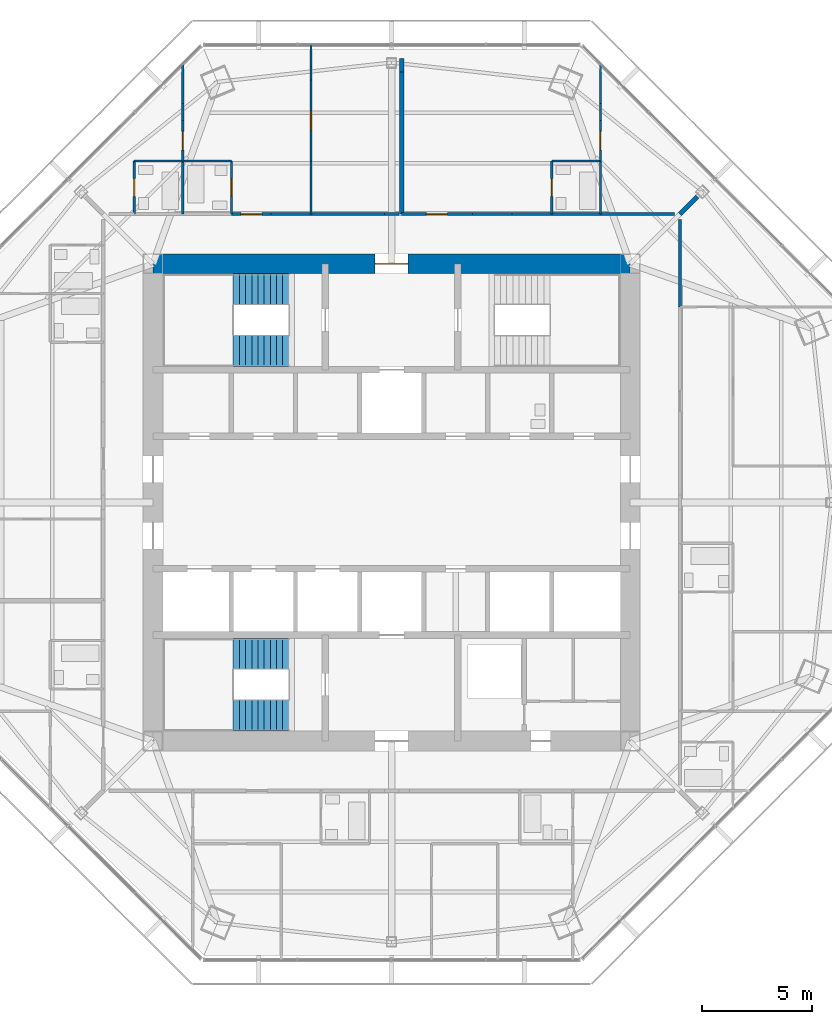
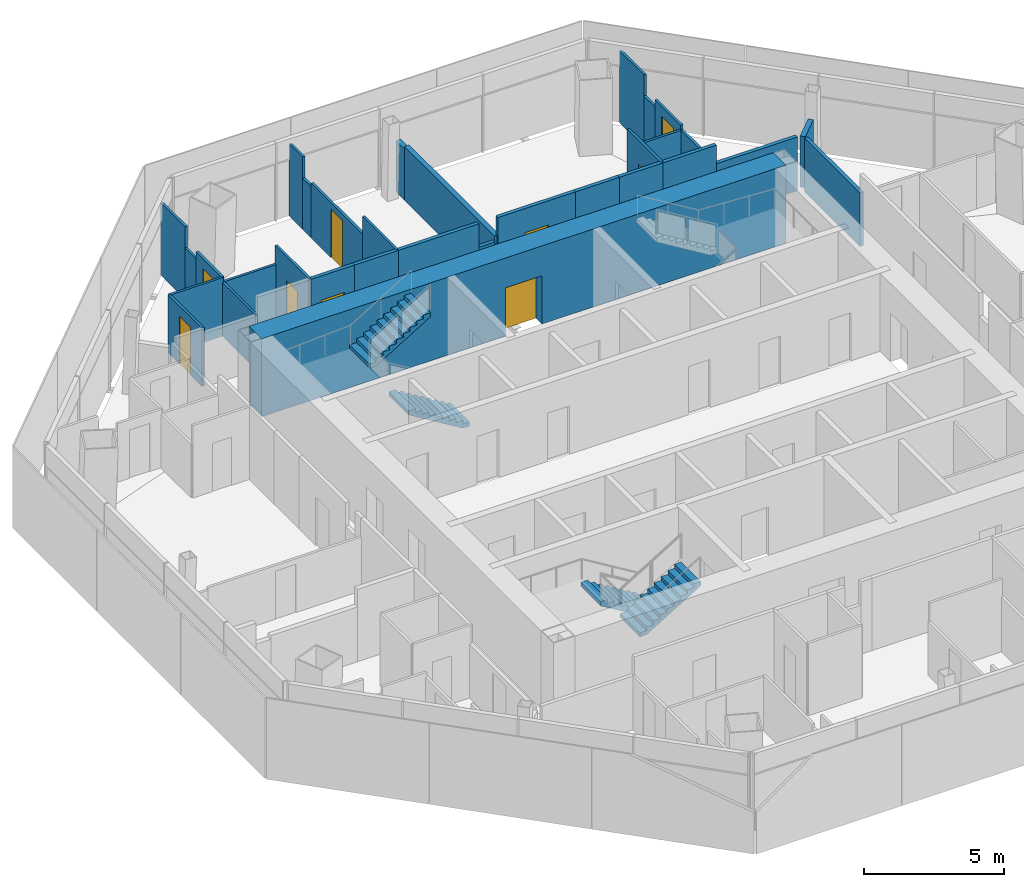
# One storey, part 12 of 15: 32 walls, 9 doors, 4 stair flights, 9 openings, 2 elements without a shape of their own.
"""IFC4 building model written with IfcOpenShell, lengths in metres."""

from ifc_helpers import new_model, si_unit, direction, frame, frame_2d, origin, place, context, subcontext, project, spatial, polyline, rectangle, outline, extrude, material, layer, layer_set, type_object, element, fill, aggregate, save


model = new_model("IFC4")

# Units and contexts
model_context = context("Model", 3, precision=1e-05, world=origin(), true_north=direction((0.0, 1.0)))
body_context = subcontext(model_context, "Body", "Model", "MODEL_VIEW")
ifc_project = project(units=[si_unit("LENGTHUNIT", "METRE"), si_unit("AREAUNIT", "SQUARE_METRE"), si_unit("VOLUMEUNIT", "CUBIC_METRE"), si_unit("PLANEANGLEUNIT", "RADIAN"), si_unit("MASSUNIT", "GRAM", prefix="KILO")], contexts=[model_context])

# Site, building, storey
site_placement = place(None, origin())
site = spatial("IfcSite", under=ifc_project, at=site_placement, CompositionType="ELEMENT")
building_placement = place(site_placement, origin())
building = spatial("IfcBuilding", under=site, at=building_placement, Name="Mashrafa Tower", CompositionType="ELEMENT")
storey_placement = place(building_placement, frame((0.0, 0.0, 258.39990234375)))
storey = spatial("IfcBuildingStorey", under=building, at=storey_placement, Name="L62", CompositionType="ELEMENT", Elevation=258.39990234375)

# Walls
ifc_material_1 = material(Name="Gypsum board on steel studs", Category="steel")
ifc_layer_1 = layer(ifc_material_1, 0.199951171875)
ifc_layer_set_1 = layer_set([ifc_layer_1], Name="Acoustic partition 200 1 hr")
wall_type_1 = type_object("IfcWallType", Name="Acoustic partition 200 1 hr", PredefinedType="PARTITIONING", material=ifc_layer_set_1)
wall_1_placement = place(storey_placement, frame((13.834228515625, 13.834228515625, 0.0), z_axis=(0.0, 0.0, 1.0), x_axis=(-0.707106781187, -0.707106781187, 0.0)))
element("IfcWall", 1, at=wall_1_placement, inside=storey, type_object=wall_type_1, Name="Acoustic wall L62-066", PredefinedType="PARTITIONING", context=body_context, shape_type="SweptSolid", body=[
    extrude(rectangle(XDim=1.10888671875, YDim=0.199951171875, at=frame_2d((0.554443359375, 0.0))), origin(), (0.0, 0.0, 1.0), 2.22998046875),
])
wall_2_placement = place(storey_placement, frame((0.449951171875, 19.47119140625, 0.0), z_axis=(0.0, 0.0, 1.0), x_axis=(0.0, -1.0, 0.0)))
element("IfcWall", 2, at=wall_2_placement, inside=storey, type_object=wall_type_1, Name="Acoustic wall L62-077", PredefinedType="PARTITIONING", context=body_context, shape_type="SweptSolid", body=[
    extrude(rectangle(XDim=6.421142578125, YDim=0.199951171875, at=frame_2d((3.21044921875, 0.0))), origin(), (0.0, 0.0, 1.0), 2.340087890625),
])
wall_3_placement = place(storey_placement, frame((0.449951171875, 20.085205078125, 0.0), z_axis=(0.0, 0.0, 1.0), x_axis=(0.0, -1.0, 0.0)))
element("IfcWall", 3, at=wall_3_placement, inside=storey, type_object=wall_type_1, Name="Acoustic wall L62-078", PredefinedType="PARTITIONING", context=body_context, shape_type="SweptSolid", body=[
    extrude(rectangle(XDim=0.614013671875, YDim=0.199951171875, at=frame_2d((0.30712890625, 0.0))), origin(), (0.0, 0.0, 1.0), 2.22998046875),
])

# Wall, opening, door
ifc_material_2 = material(Name="Concrete C50/60", Category="concrete")
ifc_layer_2 = layer(ifc_material_2, 0.89990234375)
ifc_layer_set_2 = layer_set([ifc_layer_2], Name="Core wall 900 C50/60")
wall_type_2 = type_object("IfcWallType", Name="Core wall 900 C50/60", PredefinedType="SOLIDWALL", material=ifc_layer_set_2)
wall_4_placement = place(storey_placement, frame((10.800048828125, 10.800048828125, 0.0), z_axis=(0.0, 0.0, 1.0), x_axis=(-1.0, 0.0, 0.0)))
wall_4 = element("IfcWall", 4, at=wall_4_placement, inside=storey, type_object=wall_type_2, Name="Core wall CW-N L62", PredefinedType="SOLIDWALL", context=body_context, shape_type="SweptSolid", body=[
    extrude(rectangle(XDim=21.60009765625, YDim=0.89990234375, at=frame_2d((10.800048828125, 0.0))), origin(), (0.0, 0.0, 1.0), 3.400146484375),
])
opening_1_placement = place(wall_4_placement, frame((10.050048828125, 0.0, 0.0)))
opening_1 = element("IfcOpeningElement", 5, at=opening_1_placement, cuts=wall_4, Name="Opening 62.035", PredefinedType="OPENING", context=body_context, shape_type="SweptSolid", body=[
    extrude(rectangle(XDim=1.5, YDim=2.10009765625, at=frame_2d((0.75, 1.050048828125))), frame((0.0, 0.4599609375, 0.0), z_axis=(0.0, -1.0, 0.0), x_axis=(1.0, 0.0, 0.0)), (0.0, 0.0, 1.0), 0.919921875),
])
ifc_material_3 = material(Name="Steel door", Category="steel")
door_type_1 = type_object("IfcDoorType", Name="Lobby door pair 1500 x 2100 90 min", OperationType="DOUBLE_DOOR_SINGLE_SWING", PredefinedType="DOOR", material=ifc_material_3)
door_1_placement = place(opening_1_placement, origin())
door_1 = element("IfcDoor", 6, at=door_1_placement, inside=storey, type_object=door_type_1, Name="Fire-fighting lobby F1 door L62", OperationType="DOUBLE_DOOR_SINGLE_SWING", OverallHeight=2.10009765625, OverallWidth=1.5, PredefinedType="DOOR", context=body_context, shape_type="SweptSolid", body=[
    extrude(rectangle(XDim=1.5, YDim=2.10009765625, at=frame_2d((0.75, 1.050048828125))), frame((0.0, 0.02490234375, 0.0), z_axis=(0.0, -1.0, 0.0), x_axis=(1.0, 0.0, 0.0)), (0.0, 0.0, 1.0), 0.050048828125),
])
fill(opening_1, door_1)

# Walls
ifc_material_4 = material(Name="Gypsum board on steel studs", Category="steel")
ifc_layer_3 = layer(ifc_material_4, 0.14990234375)
ifc_layer_set_3 = layer_set([ifc_layer_3], Name="Corridor partition 150 1 hr")
wall_type_3 = type_object("IfcWallType", Name="Corridor partition 150 1 hr", PredefinedType="PARTITIONING", material=ifc_layer_set_3)
wall_5_placement = place(storey_placement, frame((13.050048828125, 8.84912109375, 0.0), z_axis=(0.0, 0.0, 1.0), x_axis=(0.0, 1.0, 0.0)))
element("IfcWall", 7, at=wall_5_placement, inside=storey, type_object=wall_type_3, Name="Corridor wall L62-006", PredefinedType="PARTITIONING", context=body_context, shape_type="SweptSolid", body=[
    extrude(rectangle(XDim=3.951904296875, YDim=0.14990234375, at=frame_2d((1.97607421875, 0.0))), origin(), (0.0, 0.0, 1.0), 2.340087890625),
])
wall_6_placement = place(storey_placement, frame((12.801025390625, 13.050048828125, 0.0), z_axis=(0.0, 0.0, 1.0), x_axis=(-1.0, 0.0, 0.0)))
element("IfcWall", 8, at=wall_6_placement, inside=storey, type_object=wall_type_3, Name="Corridor wall L62-010", PredefinedType="PARTITIONING", context=body_context, shape_type="SweptSolid", body=[
    extrude(rectangle(XDim=3.35205078125, YDim=0.14990234375, at=frame_2d((1.676025390625, 0.0))), origin(), (0.0, 0.0, 1.0), 2.340087890625),
])
wall_7_placement = place(storey_placement, frame((9.450927734375, 13.050048828125, 0.0), z_axis=(0.0, 0.0, 1.0), x_axis=(-1.0, 0.0, 0.0)))
element("IfcWall", 9, at=wall_7_placement, inside=storey, type_object=wall_type_3, Name="Corridor wall L62-011", PredefinedType="PARTITIONING", context=body_context, shape_type="SweptSolid", body=[
    extrude(rectangle(XDim=2.201904296875, YDim=0.14990234375, at=frame_2d((1.10107421875, 0.0))), origin(), (0.0, 0.0, 1.0), 3.150146484375),
])
wall_8_placement = place(storey_placement, frame((5.450927734375, 13.050048828125, 0.0), z_axis=(0.0, 0.0, 1.0), x_axis=(-1.0, 0.0, 0.0)))
element("IfcWall", 10, at=wall_8_placement, inside=storey, type_object=wall_type_3, Name="Corridor wall L62-012", PredefinedType="PARTITIONING", context=body_context, shape_type="SweptSolid", body=[
    extrude(rectangle(XDim=1.802001953125, YDim=0.14990234375, at=frame_2d((0.90087890625, 0.0))), origin(), (0.0, 0.0, 1.0), 3.150146484375),
])

# Wall, opening, door
wall_9_placement = place(storey_placement, frame((3.65087890625, 13.050048828125, 0.0), z_axis=(0.0, 0.0, 1.0), x_axis=(-1.0, 0.0, 0.0)))
wall_9 = element("IfcWall", 11, at=wall_9_placement, inside=storey, type_object=wall_type_3, Name="Corridor wall L62-013", PredefinedType="PARTITIONING", context=body_context, shape_type="SweptSolid", body=[
    extrude(rectangle(XDim=3.201904296875, YDim=0.14990234375, at=frame_2d((1.60107421875, 0.0))), origin(), (0.0, 0.0, 1.0), 3.150146484375),
])
opening_2_placement = place(wall_9_placement, frame((1.1259765625, 0.0, 0.0)))
opening_2 = element("IfcOpeningElement", 12, at=opening_2_placement, cuts=wall_9, Name="Opening 62.010", PredefinedType="OPENING", context=body_context, shape_type="SweptSolid", body=[
    extrude(rectangle(XDim=0.949951171875, YDim=2.10009765625, at=frame_2d((0.47509765625, 1.050048828125))), frame((0.0, 0.0849609375, 0.0), z_axis=(0.0, -1.0, 0.0), x_axis=(1.0, 0.0, 0.0)), (0.0, 0.0, 1.0), 0.169921875),
])
ifc_material_5 = material(Name="Steel door", Category="steel")
door_type_2 = type_object("IfcDoorType", Name="Residence entrance door 950 x 2100 20 min", OperationType="USERDEFINED", PredefinedType="DOOR", material=ifc_material_5)
door_2_placement = place(opening_2_placement, frame((0.949951171875, 0.0, 0.0), z_axis=(0.0, 0.0, 1.0), x_axis=(-1.0, 0.0, 0.0)))
door_2 = element("IfcDoor", 13, at=door_2_placement, inside=storey, type_object=door_type_2, Name="Apartment 6202 Living Room door", OperationType="SINGLE_SWING_LEFT", OverallHeight=2.10009765625, OverallWidth=0.949951171875, PredefinedType="DOOR", context=body_context, shape_type="SweptSolid", body=[
    extrude(rectangle(XDim=0.949951171875, YDim=2.10009765625, at=frame_2d((0.47509765625, 1.050048828125))), frame((0.0, 0.02490234375, 0.0), z_axis=(0.0, -1.0, 0.0), x_axis=(1.0, 0.0, 0.0)), (0.0, 0.0, 1.0), 0.050048828125),
])
fill(opening_2, door_2)

# Walls
for number, where, z_axis, x_axis, name in (
    (14, (7.2509765625, 13.050048828125, 0.0), (0.0, 0.0, 1.0), (-1.0, 0.0, 0.0), "Corridor wall L62-014"),
    (15, (-3.64892578125, 13.050048828125, 0.0), (0.0, 0.0, 1.0), (-1.0, 0.0, 0.0), "Corridor wall L62-018"),
):
    element("IfcWall", number, at=place(storey_placement, frame(where, z_axis=z_axis, x_axis=x_axis)), inside=storey, type_object=wall_type_3, Name=name, PredefinedType="PARTITIONING", context=body_context, shape_type="SweptSolid", body=[
        extrude(rectangle(XDim=1.802001953125, YDim=0.14990234375, at=frame_2d((0.90087890625, 0.0))), origin(), (0.0, 0.0, 1.0), 3.150146484375),
    ])
wall_10_placement = place(storey_placement, frame((-0.330078125, 13.050048828125, 0.0), z_axis=(0.0, 0.0, 1.0), x_axis=(-1.0, 0.0, 0.0)))
element("IfcWall", 16, at=wall_10_placement, inside=storey, type_object=wall_type_3, Name="Corridor wall L62-019", PredefinedType="PARTITIONING", context=body_context, shape_type="SweptSolid", body=[
    extrude(rectangle(XDim=3.32080078125, YDim=0.14990234375, at=frame_2d((1.660400390625, 0.0))), origin(), (0.0, 0.0, 1.0), 3.150146484375),
])
wall_11_placement = place(storey_placement, frame((0.330078125, 13.050048828125, 0.0), z_axis=(0.0, 0.0, 1.0), x_axis=(-1.0, 0.0, 0.0)))
element("IfcWall", 17, at=wall_11_placement, inside=storey, type_object=wall_type_3, Name="Corridor wall L62-020", PredefinedType="PARTITIONING", context=body_context, shape_type="SweptSolid", body=[
    extrude(rectangle(XDim=0.66015625, YDim=0.14990234375, at=frame_2d((0.330078125, 0.0))), origin(), (0.0, 0.0, 1.0), 2.130126953125),
])

# Wall, opening, door
wall_12_placement = place(storey_placement, frame((-5.448974609375, 13.050048828125, 0.0), z_axis=(0.0, 0.0, 1.0), x_axis=(-1.0, 0.0, 0.0)))
wall_12 = element("IfcWall", 18, at=wall_12_placement, inside=storey, type_object=wall_type_3, Name="Corridor wall L62-021", PredefinedType="PARTITIONING", context=body_context, shape_type="SweptSolid", body=[
    extrude(rectangle(XDim=1.802001953125, YDim=0.14990234375, at=frame_2d((0.90087890625, 0.0))), origin(), (0.0, 0.0, 1.0), 3.150146484375),
])
opening_3_placement = place(wall_12_placement, frame((0.426025390625, 0.0, 0.0)))
opening_3 = element("IfcOpeningElement", 19, at=opening_3_placement, cuts=wall_12, Name="Opening 62.015", PredefinedType="OPENING", context=body_context, shape_type="SweptSolid", body=[
    extrude(rectangle(XDim=0.949951171875, YDim=2.10009765625, at=frame_2d((0.47509765625, 1.050048828125))), frame((0.0, 0.0849609375, 0.0), z_axis=(0.0, -1.0, 0.0), x_axis=(1.0, 0.0, 0.0)), (0.0, 0.0, 1.0), 0.169921875),
])
door_3_placement = place(opening_3_placement, frame((0.949951171875, 0.0, 0.0), z_axis=(0.0, 0.0, 1.0), x_axis=(-1.0, 0.0, 0.0)))
door_3 = element("IfcDoor", 20, at=door_3_placement, inside=storey, type_object=door_type_2, Name="Apartment 6203 Living Room door", OperationType="SINGLE_SWING_RIGHT", OverallHeight=2.10009765625, OverallWidth=0.949951171875, PredefinedType="DOOR", context=body_context, shape_type="SweptSolid", body=[
    extrude(rectangle(XDim=0.949951171875, YDim=2.10009765625, at=frame_2d((0.47509765625, 1.050048828125))), frame((0.0, 0.02490234375, 0.0), z_axis=(0.0, -1.0, 0.0), x_axis=(1.0, 0.0, 0.0)), (0.0, 0.0, 1.0), 0.050048828125),
])
fill(opening_3, door_3)

# Walls
ifc_material_6 = material(Name="Gypsum board on steel studs", Category="steel")
ifc_layer_4 = layer(ifc_material_6, 0.10009765625)
ifc_layer_set_4 = layer_set([ifc_layer_4], Name="Partition 100")
wall_type_4 = type_object("IfcWallType", Name="Partition 100", PredefinedType="PARTITIONING", material=ifc_layer_set_4)
wall_13_placement = place(storey_placement, frame((9.449951171875, 15.450927734375, 0.0), z_axis=(0.0, 0.0, 1.0), x_axis=(0.0, -1.0, 0.0)))
element("IfcWall", 21, at=wall_13_placement, inside=storey, type_object=wall_type_4, Name="Partition wall L62-071", PredefinedType="PARTITIONING", context=body_context, shape_type="SweptSolid", body=[
    extrude(rectangle(XDim=2.40087890625, YDim=0.10009765625, at=frame_2d((1.200439453125, 0.0))), origin(), (0.0, 0.0, 1.0), 2.340087890625),
])
wall_14_placement = place(storey_placement, frame((9.449951171875, 19.807373046875, 0.0), z_axis=(0.0, 0.0, 1.0), x_axis=(0.0, -1.0, 0.0)))
element("IfcWall", 22, at=wall_14_placement, inside=storey, type_object=wall_type_4, Name="Partition wall L62-072", PredefinedType="PARTITIONING", context=body_context, shape_type="SweptSolid", body=[
    extrude(rectangle(XDim=1.7451171875, YDim=0.10009765625, at=frame_2d((0.87255859375, 0.0))), origin(), (0.0, 0.0, 1.0), 3.150146484375),
])

# Wall, opening, door
wall_15_placement = place(storey_placement, frame((9.449951171875, 17.281494140625, 0.0), z_axis=(0.0, 0.0, 1.0), x_axis=(0.0, -1.0, 0.0)))
wall_15 = element("IfcWall", 23, at=wall_15_placement, inside=storey, type_object=wall_type_4, Name="Partition wall L62-073", PredefinedType="PARTITIONING", context=body_context, shape_type="SweptSolid", body=[
    extrude(rectangle(XDim=1.83251953125, YDim=0.10009765625, at=frame_2d((0.916259765625, 0.0))), origin(), (0.0, 0.0, 1.0), 2.5380859375),
])
opening_4_placement = place(wall_15_placement, frame((0.4912109375, 0.0, 0.0)))
opening_4 = element("IfcOpeningElement", 24, at=opening_4_placement, cuts=wall_15, Name="Opening 62.008", PredefinedType="OPENING", context=body_context, shape_type="SweptSolid", body=[
    extrude(rectangle(XDim=0.85009765625, YDim=2.10009765625, at=frame_2d((0.425048828125, 1.050048828125))), frame((0.0, 0.06005859375, 0.0), z_axis=(0.0, -1.0, 0.0), x_axis=(1.0, 0.0, 0.0)), (0.0, 0.0, 1.0), 0.1201171875),
])
ifc_material_7 = material(Name="Timber door", Category="wood")
door_type_3 = type_object("IfcDoorType", Name="Bedroom door 850 x 2100", OperationType="USERDEFINED", PredefinedType="DOOR", material=ifc_material_7)
door_4_placement = place(opening_4_placement, origin())
door_4 = element("IfcDoor", 25, at=door_4_placement, inside=storey, type_object=door_type_3, Name="Apartment 6202 Bedroom 1 door", OperationType="SINGLE_SWING_LEFT", OverallHeight=2.10009765625, OverallWidth=0.85009765625, PredefinedType="DOOR", context=body_context, shape_type="SweptSolid", body=[
    extrude(rectangle(XDim=0.85009765625, YDim=2.10009765625, at=frame_2d((0.425048828125, 1.050048828125))), frame((0.0, 0.02490234375, 0.0), z_axis=(0.0, -1.0, 0.0), x_axis=(1.0, 0.0, 0.0)), (0.0, 0.0, 1.0), 0.050048828125),
])
fill(opening_4, door_4)

# Walls
wall_16_placement = place(storey_placement, frame((9.449951171875, 18.062255859375, 0.0), z_axis=(0.0, 0.0, 1.0), x_axis=(0.0, -1.0, 0.0)))
element("IfcWall", 26, at=wall_16_placement, inside=storey, type_object=wall_type_4, Name="Partition wall L62-074", PredefinedType="PARTITIONING", context=body_context, shape_type="SweptSolid", body=[
    extrude(rectangle(XDim=0.78076171875, YDim=0.10009765625, at=frame_2d((0.390380859375, 0.0))), origin(), (0.0, 0.0, 1.0), 2.22998046875),
])
wall_17_placement = place(storey_placement, frame((9.449951171875, 15.449951171875, 0.0), z_axis=(0.0, 0.0, 1.0), x_axis=(-1.0, 0.0, 0.0)))
element("IfcWall", 27, at=wall_17_placement, inside=storey, type_object=wall_type_4, Name="Partition wall L62-075", PredefinedType="PARTITIONING", context=body_context, shape_type="SweptSolid", body=[
    extrude(rectangle(XDim=2.199951171875, YDim=0.10009765625, at=frame_2d((1.10009765625, 0.0))), origin(), (0.0, 0.0, 1.0), 2.340087890625),
])

# Wall, opening, door
wall_18_placement = place(storey_placement, frame((7.25, 15.449951171875, 0.0), z_axis=(0.0, 0.0, 1.0), x_axis=(0.0, -1.0, 0.0)))
wall_18 = element("IfcWall", 28, at=wall_18_placement, inside=storey, type_object=wall_type_4, Name="Partition wall L62-076", PredefinedType="PARTITIONING", context=body_context, shape_type="SweptSolid", body=[
    extrude(rectangle(XDim=2.39990234375, YDim=0.10009765625, at=frame_2d((1.199951171875, 0.0))), origin(), (0.0, 0.0, 1.0), 3.150146484375),
])
opening_5_placement = place(wall_18_placement, frame((0.800048828125, 0.0, 0.0)))
opening_5 = element("IfcOpeningElement", 29, at=opening_5_placement, cuts=wall_18, Name="Opening 62.009", PredefinedType="OPENING", context=body_context, shape_type="SweptSolid", body=[
    extrude(rectangle(XDim=0.800048828125, YDim=2.10009765625, at=frame_2d((0.39990234375, 1.050048828125))), frame((0.0, 0.06005859375, 0.0), z_axis=(0.0, -1.0, 0.0), x_axis=(1.0, 0.0, 0.0)), (0.0, 0.0, 1.0), 0.1201171875),
])
ifc_material_8 = material(Name="Timber door", Category="wood")
door_type_4 = type_object("IfcDoorType", Name="Bathroom door 800 x 2100", OperationType="USERDEFINED", PredefinedType="DOOR", material=ifc_material_8)
door_5_placement = place(opening_5_placement, origin())
door_5 = element("IfcDoor", 30, at=door_5_placement, inside=storey, type_object=door_type_4, Name="Apartment 6202 Bathroom door", OperationType="SINGLE_SWING_RIGHT", OverallHeight=2.10009765625, OverallWidth=0.800048828125, PredefinedType="DOOR", context=body_context, shape_type="SweptSolid", body=[
    extrude(rectangle(XDim=0.800048828125, YDim=2.10009765625, at=frame_2d((0.39990234375, 1.050048828125))), frame((0.0, 0.02490234375, 0.0), z_axis=(0.0, -1.0, 0.0), x_axis=(1.0, 0.0, 0.0)), (0.0, 0.0, 1.0), 0.050048828125),
])
fill(opening_5, door_5)

# Wall
wall_19_placement = place(storey_placement, frame((-9.449951171875, 15.449951171875, 0.0), z_axis=(0.0, 0.0, 1.0), x_axis=(-1.0, 0.0, 0.0)))
element("IfcWall", 31, at=wall_19_placement, inside=storey, type_object=wall_type_4, Name="Partition wall L62-079", PredefinedType="PARTITIONING", context=body_context, shape_type="SweptSolid", body=[
    extrude(rectangle(XDim=2.199951171875, YDim=0.10009765625, at=frame_2d((1.10009765625, 0.0))), origin(), (0.0, 0.0, 1.0), 2.5380859375),
])

# Wall, opening, door
wall_20_placement = place(storey_placement, frame((-11.64990234375, 15.449951171875, 0.0), z_axis=(0.0, 0.0, 1.0), x_axis=(0.0, -1.0, 0.0)))
wall_20 = element("IfcWall", 32, at=wall_20_placement, inside=storey, type_object=wall_type_4, Name="Partition wall L62-080", PredefinedType="PARTITIONING", context=body_context, shape_type="SweptSolid", body=[
    extrude(rectangle(XDim=2.39990234375, YDim=0.10009765625, at=frame_2d((1.199951171875, 0.0))), origin(), (0.0, 0.0, 1.0), 2.5380859375),
])
opening_6_placement = place(wall_20_placement, frame((0.800048828125, 0.0, 0.0)))
opening_6 = element("IfcOpeningElement", 33, at=opening_6_placement, cuts=wall_20, Name="Opening 62.011", PredefinedType="OPENING", context=body_context, shape_type="SweptSolid", body=[
    extrude(rectangle(XDim=0.800048828125, YDim=2.10009765625, at=frame_2d((0.39990234375, 1.050048828125))), frame((0.0, 0.06005859375, 0.0), z_axis=(0.0, -1.0, 0.0), x_axis=(1.0, 0.0, 0.0)), (0.0, 0.0, 1.0), 0.1201171875),
])
door_6_placement = place(opening_6_placement, origin())
door_6 = element("IfcDoor", 34, at=door_6_placement, inside=storey, type_object=door_type_4, Name="Apartment 6203 En-suite Bathroom door", OperationType="SINGLE_SWING_RIGHT", OverallHeight=2.10009765625, OverallWidth=0.800048828125, PredefinedType="DOOR", context=body_context, shape_type="SweptSolid", body=[
    extrude(rectangle(XDim=0.800048828125, YDim=2.10009765625, at=frame_2d((0.39990234375, 1.050048828125))), frame((0.0, 0.02490234375, 0.0), z_axis=(0.0, -1.0, 0.0), x_axis=(1.0, 0.0, 0.0)), (0.0, 0.0, 1.0), 0.050048828125),
])
fill(opening_6, door_6)

# Wall
wall_21_placement = place(storey_placement, frame((-9.449951171875, 13.050048828125, 0.0), z_axis=(0.0, 0.0, 1.0), x_axis=(0.0, 1.0, 0.0)))
element("IfcWall", 35, at=wall_21_placement, inside=storey, type_object=wall_type_4, Name="Partition wall L62-081", PredefinedType="PARTITIONING", context=body_context, shape_type="SweptSolid", body=[
    extrude(rectangle(XDim=2.39990234375, YDim=0.10009765625, at=frame_2d((1.199951171875, 0.0))), origin(), (0.0, 0.0, 1.0), 2.340087890625),
])

# Wall, opening, door
wall_22_placement = place(storey_placement, frame((-9.449951171875, 15.449951171875, 0.0), z_axis=(0.0, 0.0, 1.0), x_axis=(0.0, 1.0, 0.0)))
wall_22 = element("IfcWall", 36, at=wall_22_placement, inside=storey, type_object=wall_type_4, Name="Partition wall L62-082", PredefinedType="PARTITIONING", context=body_context, shape_type="SweptSolid", body=[
    extrude(rectangle(XDim=1.83154296875, YDim=0.10009765625, at=frame_2d((0.915771484375, 0.0))), origin(), (0.0, 0.0, 1.0), 2.5380859375),
])
opening_7_placement = place(wall_22_placement, frame((0.49072265625, 0.0, 0.0)))
opening_7 = element("IfcOpeningElement", 37, at=opening_7_placement, cuts=wall_22, Name="Opening 62.012", PredefinedType="OPENING", context=body_context, shape_type="SweptSolid", body=[
    extrude(rectangle(XDim=0.85009765625, YDim=2.10009765625, at=frame_2d((0.425048828125, 1.050048828125))), frame((0.0, 0.06005859375, 0.0), z_axis=(0.0, -1.0, 0.0), x_axis=(1.0, 0.0, 0.0)), (0.0, 0.0, 1.0), 0.1201171875),
])
door_7_placement = place(opening_7_placement, origin())
door_7 = element("IfcDoor", 38, at=door_7_placement, inside=storey, type_object=door_type_3, Name="Apartment 6203 Bedroom 1 door", OperationType="SINGLE_SWING_LEFT", OverallHeight=2.10009765625, OverallWidth=0.85009765625, PredefinedType="DOOR", context=body_context, shape_type="SweptSolid", body=[
    extrude(rectangle(XDim=0.85009765625, YDim=2.10009765625, at=frame_2d((0.425048828125, 1.050048828125))), frame((0.0, 0.02490234375, 0.0), z_axis=(0.0, -1.0, 0.0), x_axis=(1.0, 0.0, 0.0)), (0.0, 0.0, 1.0), 0.050048828125),
])
fill(opening_7, door_7)

# Walls
wall_23_placement = place(storey_placement, frame((-9.449951171875, 18.062255859375, 0.0), z_axis=(0.0, 0.0, 1.0), x_axis=(0.0, 1.0, 0.0)))
element("IfcWall", 39, at=wall_23_placement, inside=storey, type_object=wall_type_4, Name="Partition wall L62-083", PredefinedType="PARTITIONING", context=body_context, shape_type="SweptSolid", body=[
    extrude(rectangle(XDim=1.7451171875, YDim=0.10009765625, at=frame_2d((0.87255859375, 0.0))), origin(), (0.0, 0.0, 1.0), 3.150146484375),
])
wall_24_placement = place(storey_placement, frame((-9.449951171875, 17.281494140625, 0.0), z_axis=(0.0, 0.0, 1.0), x_axis=(0.0, 1.0, 0.0)))
element("IfcWall", 40, at=wall_24_placement, inside=storey, type_object=wall_type_4, Name="Partition wall L62-084", PredefinedType="PARTITIONING", context=body_context, shape_type="SweptSolid", body=[
    extrude(rectangle(XDim=0.78076171875, YDim=0.10009765625, at=frame_2d((0.390380859375, 0.0))), origin(), (0.0, 0.0, 1.0), 2.22998046875),
])

# Wall, opening, door
wall_25_placement = place(storey_placement, frame((-7.25, 13.050048828125, 0.0), z_axis=(0.0, 0.0, 1.0), x_axis=(0.0, 1.0, 0.0)))
wall_25 = element("IfcWall", 41, at=wall_25_placement, inside=storey, type_object=wall_type_4, Name="Partition wall L62-086", PredefinedType="PARTITIONING", context=body_context, shape_type="SweptSolid", body=[
    extrude(rectangle(XDim=2.39990234375, YDim=0.10009765625, at=frame_2d((1.199951171875, 0.0))), origin(), (0.0, 0.0, 1.0), 3.150146484375),
])
opening_8_placement = place(wall_25_placement, frame((0.800048828125, 0.0, 0.0)))
opening_8 = element("IfcOpeningElement", 42, at=opening_8_placement, cuts=wall_25, Name="Opening 62.013", PredefinedType="OPENING", context=body_context, shape_type="SweptSolid", body=[
    extrude(rectangle(XDim=0.800048828125, YDim=2.10009765625, at=frame_2d((0.39990234375, 1.050048828125))), frame((0.0, 0.06005859375, 0.0), z_axis=(0.0, -1.0, 0.0), x_axis=(1.0, 0.0, 0.0)), (0.0, 0.0, 1.0), 0.1201171875),
])
door_8_placement = place(opening_8_placement, origin())
door_8 = element("IfcDoor", 43, at=door_8_placement, inside=storey, type_object=door_type_4, Name="Apartment 6203 Bathroom door", OperationType="SINGLE_SWING_LEFT", OverallHeight=2.10009765625, OverallWidth=0.800048828125, PredefinedType="DOOR", context=body_context, shape_type="SweptSolid", body=[
    extrude(rectangle(XDim=0.800048828125, YDim=2.10009765625, at=frame_2d((0.39990234375, 1.050048828125))), frame((0.0, 0.02490234375, 0.0), z_axis=(0.0, -1.0, 0.0), x_axis=(1.0, 0.0, 0.0)), (0.0, 0.0, 1.0), 0.050048828125),
])
fill(opening_8, door_8)

# Walls
wall_26_placement = place(storey_placement, frame((-7.25, 15.449951171875, 0.0), z_axis=(0.0, 0.0, 1.0), x_axis=(-1.0, 0.0, 0.0)))
element("IfcWall", 44, at=wall_26_placement, inside=storey, type_object=wall_type_4, Name="Partition wall L62-087", PredefinedType="PARTITIONING", context=body_context, shape_type="SweptSolid", body=[
    extrude(rectangle(XDim=2.199951171875, YDim=0.10009765625, at=frame_2d((1.10009765625, 0.0))), origin(), (0.0, 0.0, 1.0), 2.340087890625),
])
wall_27_placement = place(storey_placement, frame((-3.64990234375, 13.050048828125, 0.0), z_axis=(0.0, 0.0, 1.0), x_axis=(0.0, 1.0, 0.0)))
element("IfcWall", 45, at=wall_27_placement, inside=storey, type_object=wall_type_4, Name="Partition wall L62-088", PredefinedType="PARTITIONING", context=body_context, shape_type="SweptSolid", body=[
    extrude(rectangle(XDim=2.39990234375, YDim=0.10009765625, at=frame_2d((1.199951171875, 0.0))), origin(), (0.0, 0.0, 1.0), 3.150146484375),
])
wall_28_placement = place(storey_placement, frame((-3.64990234375, 20.68701171875, 0.0), z_axis=(0.0, 0.0, 1.0), x_axis=(0.0, -1.0, 0.0)))
element("IfcWall", 46, at=wall_28_placement, inside=storey, type_object=wall_type_4, Name="Partition wall L62-089", PredefinedType="PARTITIONING", context=body_context, shape_type="SweptSolid", body=[
    extrude(rectangle(XDim=0.9599609375, YDim=0.10009765625, at=frame_2d((0.47998046875, 0.0))), origin(), (0.0, 0.0, 1.0), 3.150146484375),
])

# Wall, opening, door
wall_29_placement = place(storey_placement, frame((-3.64990234375, 19.11328125, 0.0), z_axis=(0.0, 0.0, 1.0), x_axis=(0.0, -1.0, 0.0)))
wall_29 = element("IfcWall", 47, at=wall_29_placement, inside=storey, type_object=wall_type_4, Name="Partition wall L62-090", PredefinedType="PARTITIONING", context=body_context, shape_type="SweptSolid", body=[
    extrude(rectangle(XDim=3.664306640625, YDim=0.10009765625, at=frame_2d((1.83203125, 0.0))), origin(), (0.0, 0.0, 1.0), 2.3857421875),
])
opening_9_placement = place(wall_29_placement, frame((1.4072265625, 0.0, 0.0)))
opening_9 = element("IfcOpeningElement", 48, at=opening_9_placement, cuts=wall_29, Name="Opening 62.014", PredefinedType="OPENING", context=body_context, shape_type="SweptSolid", body=[
    extrude(rectangle(XDim=0.85009765625, YDim=2.10009765625, at=frame_2d((0.425048828125, 1.050048828125))), frame((0.0, 0.06005859375, 0.0), z_axis=(0.0, -1.0, 0.0), x_axis=(1.0, 0.0, 0.0)), (0.0, 0.0, 1.0), 0.1201171875),
])
door_9_placement = place(opening_9_placement, origin())
door_9 = element("IfcDoor", 49, at=door_9_placement, inside=storey, type_object=door_type_3, Name="Apartment 6203 Bedroom 2 door", OperationType="SINGLE_SWING_LEFT", OverallHeight=2.10009765625, OverallWidth=0.85009765625, PredefinedType="DOOR", context=body_context, shape_type="SweptSolid", body=[
    extrude(rectangle(XDim=0.85009765625, YDim=2.10009765625, at=frame_2d((0.425048828125, 1.050048828125))), frame((0.0, 0.02490234375, 0.0), z_axis=(0.0, -1.0, 0.0), x_axis=(1.0, 0.0, 0.0)), (0.0, 0.0, 1.0), 0.050048828125),
])
fill(opening_9, door_9)

# Wall
wall_30_placement = place(storey_placement, frame((-3.64990234375, 19.72705078125, 0.0), z_axis=(0.0, 0.0, 1.0), x_axis=(0.0, -1.0, 0.0)))
element("IfcWall", 50, at=wall_30_placement, inside=storey, type_object=wall_type_4, Name="Partition wall L62-091", PredefinedType="PARTITIONING", context=body_context, shape_type="SweptSolid", body=[
    extrude(rectangle(XDim=0.61376953125, YDim=0.10009765625, at=frame_2d((0.306884765625, 0.0))), origin(), (0.0, 0.0, 1.0), 2.22998046875),
])

# Stair, stair flights
ifc_material_9 = material(Name="Exit stair 1400")
stair_type = type_object("IfcStairType", Name="Exit stair 1400", PredefinedType="HALF_TURN_STAIR", material=ifc_material_9)
stair_1_placement = place(storey_placement, origin())
stair_1 = element("IfcStair", 51, at=stair_1_placement, inside=storey, type_object=stair_type, Name="Stair S1 L62", PredefinedType="HALF_TURN_STAIR")
ifc_material_10 = material(Name="Concrete C32/40", Category="concrete")
stair_flight_type = type_object("IfcStairFlightType", Name="Stair flight 1400", PredefinedType="STRAIGHT", material=ifc_material_10)
stair_flight_1_placement = place(storey_placement, frame((-4.64990234375, 6.85009765625, 0.0), z_axis=(0.0, 0.0, 1.0), x_axis=(-1.0, 0.0, 0.0)))
stair_flight_1 = element("IfcStairFlight", 52, at=stair_flight_1_placement, type_object=stair_flight_type, Name="S1 flight 1", NumberOfRisers=10, NumberOfTreads=9, PredefinedType="STRAIGHT", RiserHeight=0.17, TreadLength=0.28, context=body_context, shape_type="SweptSolid", body=[
    extrude(outline(polyline([(0.0, 0.0), (0.0, 0.169921875), (0.280029296875, 0.169921875), (0.280029296875, 0.340087890625), (0.56005859375, 0.340087890625), (0.56005859375, 0.510009765625), (0.840087890625, 0.510009765625), (0.840087890625, 0.679931640625), (1.1201171875, 0.679931640625), (1.1201171875, 0.85009765625), (1.39990234375, 0.85009765625), (1.39990234375, 1.02001953125), (1.679931640625, 1.02001953125), (1.679931640625, 1.18994140625), (1.9599609375, 1.18994140625), (1.9599609375, 1.360107421875), (2.239990234375, 1.360107421875), (2.239990234375, 1.530029296875), (2.52001953125, 1.530029296875), (2.52001953125, 1.699951171875), (2.52001953125, 1.354736328125), (0.288818359375, 0.0), (0.0, 0.0)])), frame((0.0, 0.699951171875, 0.0), z_axis=(0.0, -1.0, 0.0), x_axis=(1.0, 0.0, 0.0)), (0.0, 0.0, 1.0), 1.39990234375),
])
stair_flight_2_placement = place(storey_placement, frame((-7.169921875, 9.64990234375, 1.7001953125), z_axis=(0.0, 0.0, 1.0), x_axis=(1.0, 0.0, 0.0)))
stair_flight_2 = element("IfcStairFlight", 53, at=stair_flight_2_placement, type_object=stair_flight_type, Name="S1 flight 2", NumberOfRisers=10, NumberOfTreads=9, PredefinedType="STRAIGHT", RiserHeight=0.17, TreadLength=0.28, context=body_context, shape_type="SweptSolid", body=[
    extrude(outline(polyline([(0.0, 0.0), (0.0, 0.169921875), (0.280029296875, 0.169921875), (0.280029296875, 0.340087890625), (0.56005859375, 0.340087890625), (0.56005859375, 0.510009765625), (0.840087890625, 0.510009765625), (0.840087890625, 0.679931640625), (1.1201171875, 0.679931640625), (1.1201171875, 0.85009765625), (1.39990234375, 0.85009765625), (1.39990234375, 1.02001953125), (1.679931640625, 1.02001953125), (1.679931640625, 1.18994140625), (1.9599609375, 1.18994140625), (1.9599609375, 1.360107421875), (2.239990234375, 1.360107421875), (2.239990234375, 1.530029296875), (2.52001953125, 1.530029296875), (2.52001953125, 1.699951171875), (2.52001953125, 1.354736328125), (0.288818359375, 0.0), (0.0, 0.0)])), frame((0.0, 0.699951171875, 0.0), z_axis=(0.0, -1.0, 0.0), x_axis=(1.0, 0.0, 0.0)), (0.0, 0.0, 1.0), 1.39990234375),
])
aggregate(stair_1, [stair_flight_1, stair_flight_2])

stair_2_placement = place(storey_placement, origin())
stair_2 = element("IfcStair", 54, at=stair_2_placement, inside=storey, type_object=stair_type, Name="Stair S3 L62", PredefinedType="HALF_TURN_STAIR")
stair_flight_3_placement = place(storey_placement, frame((-4.64990234375, -6.85009765625, 0.0), z_axis=(0.0, 0.0, 1.0), x_axis=(-1.0, 0.0, 0.0)))
stair_flight_3 = element("IfcStairFlight", 55, at=stair_flight_3_placement, type_object=stair_flight_type, Name="S3 flight 1", NumberOfRisers=10, NumberOfTreads=9, PredefinedType="STRAIGHT", RiserHeight=0.17, TreadLength=0.28, context=body_context, shape_type="SweptSolid", body=[
    extrude(outline(polyline([(0.0, 0.0), (0.0, 0.169921875), (0.280029296875, 0.169921875), (0.280029296875, 0.340087890625), (0.56005859375, 0.340087890625), (0.56005859375, 0.510009765625), (0.840087890625, 0.510009765625), (0.840087890625, 0.679931640625), (1.1201171875, 0.679931640625), (1.1201171875, 0.85009765625), (1.39990234375, 0.85009765625), (1.39990234375, 1.02001953125), (1.679931640625, 1.02001953125), (1.679931640625, 1.18994140625), (1.9599609375, 1.18994140625), (1.9599609375, 1.360107421875), (2.239990234375, 1.360107421875), (2.239990234375, 1.530029296875), (2.52001953125, 1.530029296875), (2.52001953125, 1.699951171875), (2.52001953125, 1.354736328125), (0.288818359375, 0.0), (0.0, 0.0)])), frame((0.0, 0.699951171875, 0.0), z_axis=(0.0, -1.0, 0.0), x_axis=(1.0, 0.0, 0.0)), (0.0, 0.0, 1.0), 1.39990234375),
])
stair_flight_4_placement = place(storey_placement, frame((-7.169921875, -9.64990234375, 1.7001953125), z_axis=(0.0, 0.0, 1.0), x_axis=(1.0, 0.0, 0.0)))
stair_flight_4 = element("IfcStairFlight", 56, at=stair_flight_4_placement, type_object=stair_flight_type, Name="S3 flight 2", NumberOfRisers=10, NumberOfTreads=9, PredefinedType="STRAIGHT", RiserHeight=0.17, TreadLength=0.28, context=body_context, shape_type="SweptSolid", body=[
    extrude(outline(polyline([(0.0, 0.0), (0.0, 0.169921875), (0.280029296875, 0.169921875), (0.280029296875, 0.340087890625), (0.56005859375, 0.340087890625), (0.56005859375, 0.510009765625), (0.840087890625, 0.510009765625), (0.840087890625, 0.679931640625), (1.1201171875, 0.679931640625), (1.1201171875, 0.85009765625), (1.39990234375, 0.85009765625), (1.39990234375, 1.02001953125), (1.679931640625, 1.02001953125), (1.679931640625, 1.18994140625), (1.9599609375, 1.18994140625), (1.9599609375, 1.360107421875), (2.239990234375, 1.360107421875), (2.239990234375, 1.530029296875), (2.52001953125, 1.530029296875), (2.52001953125, 1.699951171875), (2.52001953125, 1.354736328125), (0.288818359375, 0.0), (0.0, 0.0)])), frame((0.0, 0.699951171875, 0.0), z_axis=(0.0, -1.0, 0.0), x_axis=(1.0, 0.0, 0.0)), (0.0, 0.0, 1.0), 1.39990234375),
])
aggregate(stair_2, [stair_flight_3, stair_flight_4])

save(model, "model.ifc")
